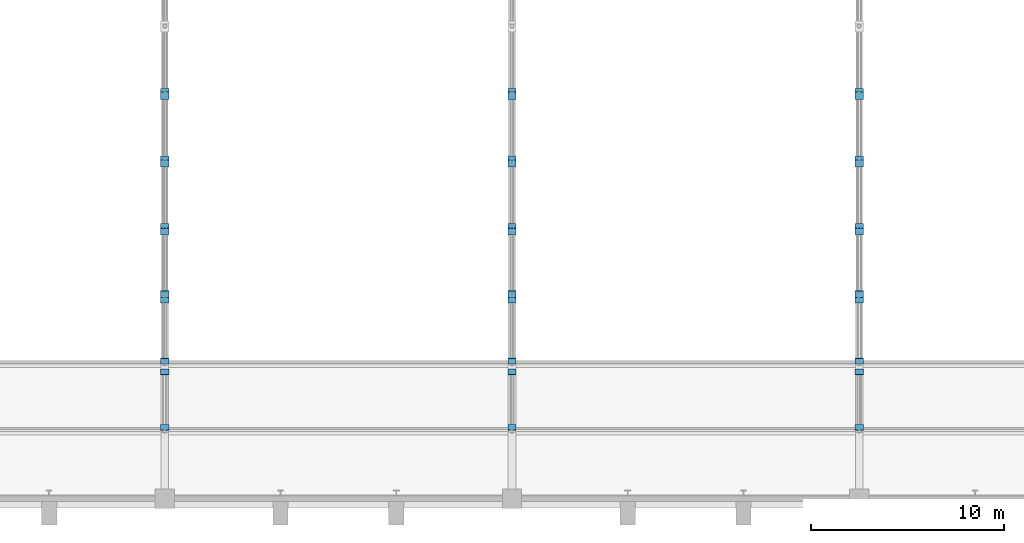
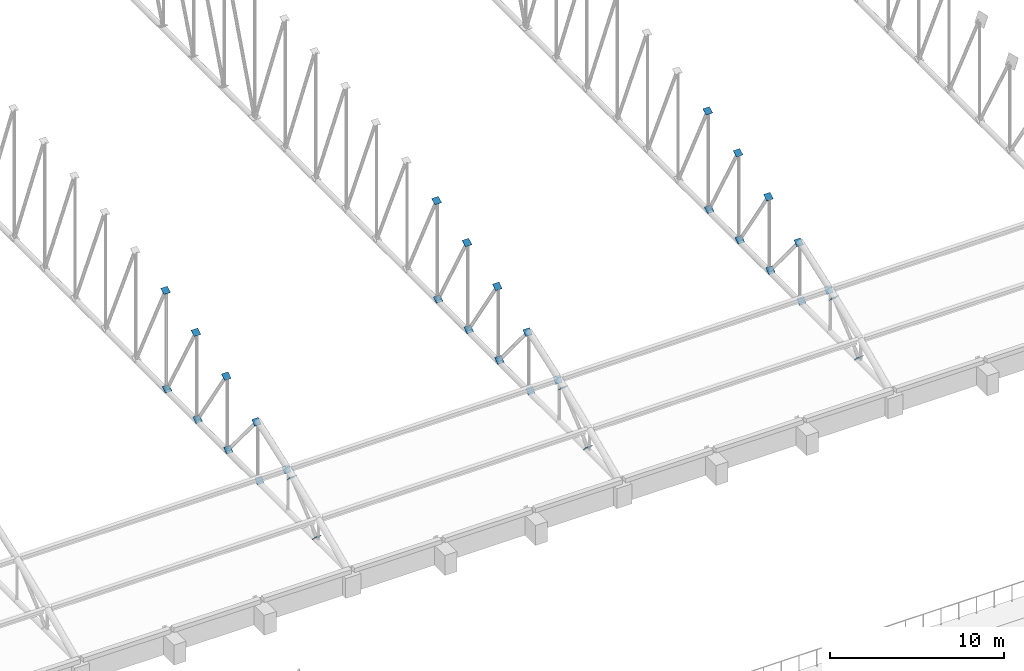
# One storey, part 145 of 196: 33 discrete accessories.
"""IFC4 building model written with IfcOpenShell, lengths in metres."""

from ifc_helpers import new_model, si_unit, direction, frame, origin, origin_2d, place, context, subcontext, project, spatial, rectangle, extrude, material, layer, layer_set, type_object, element, save


model = new_model("IFC4")

# Units and contexts
model_context = context("Model", 3, precision=1e-05, world=origin(), true_north=direction((0.0, 1.0)))
body_context = subcontext(model_context, "Body", "Model", "MODEL_VIEW")
ifc_project = project(units=[si_unit("LENGTHUNIT", "METRE"), si_unit("AREAUNIT", "SQUARE_METRE"), si_unit("VOLUMEUNIT", "CUBIC_METRE"), si_unit("PLANEANGLEUNIT", "RADIAN"), si_unit("MASSUNIT", "GRAM", prefix="KILO")], contexts=[model_context])

# Site, building, storey
site_placement = place(None, origin())
site = spatial("IfcSite", under=ifc_project, at=site_placement, CompositionType="ELEMENT")
building_placement = place(site_placement, origin())
building = spatial("IfcBuilding", under=site, at=building_placement, Name="Okhra Congress Centre", CompositionType="ELEMENT")
storey_placement = place(building_placement, frame((0.0, 0.0, 12.0)))
storey = spatial("IfcBuildingStorey", under=building, at=storey_placement, Name="L02", CompositionType="ELEMENT", Elevation=12.0)

# Discrete accessories
ifc_material = material(Name="Steel S355J2", Category="steel")
ifc_layer = layer(ifc_material, 0.02001953125)
ifc_layer_set = layer_set([ifc_layer], Name="Brace end connection plate 20 mm S355")
discrete_accessory_type = type_object("IfcDiscreteAccessoryType", Name="Brace end connection plate 20 mm S355", PredefinedType="BRACKET", material=ifc_layer_set)
for number, where, z_axis, x_axis, name in (
    (1, (82.0, 138.57421875, 4.01220703125), (0.0, 0.760121344352, 0.649781149204), (-1.0, 0.0, 0.0), "Brace end connection plate"),
    (2, (82.0, 135.709228515625, 1.577880859375), (0.0, -0.760121344352, -0.649781149204), (1.0, 0.0, 0.0), "Brace end connection plate"),
    (3, (82.0, 139.1611328125, 4.237060546875), (0.0, -0.760121344352, 0.649781149204), (1.0, 0.0, 0.0), "Brace end connection plate"),
    (4, (82.0, 142.290771484375, 1.577880859375), (0.0, 0.760121344352, -0.649781149204), (-1.0, 0.0, 0.0), "Brace end connection plate"),
    (5, (82.0, 142.626220703125, 5.476318359375), (0.0, -0.630592625094, 0.776114000116), (1.0, 0.0, 0.0), "Brace end connection plate"),
    (6, (82.0, 145.852783203125, 1.577880859375), (0.0, 0.643761629109, -0.765226087432), (-1.0, 0.0, 0.0), "Brace end connection plate"),
    (7, (82.0, 146.10595703125, 6.576416015625), (0.0, -0.551866900848, 0.833932205727), (1.0, 0.0, 0.0), "Brace end connection plate"),
    (8, (82.0, 149.38330078125, 1.577880859375), (0.0, 0.546267780547, -0.837610596839), (-1.0, 0.0, 0.0), "Brace end connection plate"),
    (9, (82.0, 149.5927734375, 7.538330078125), (0.0, -0.485642931179, 0.874157276122), (1.0, 0.0, 0.0), "Brace end connection plate"),
    (10, (82.0, 152.9013671875, 1.577880859375), (0.0, 0.485642931179, -0.874157276122), (-1.0, 0.0, 0.0), "Brace end connection plate"),
):
    element("IfcDiscreteAccessory", number, at=place(storey_placement, frame(where, z_axis=z_axis, x_axis=x_axis)), inside=storey, type_object=discrete_accessory_type, Name=name, PredefinedType="BRACKET", context=body_context, shape_type="SweptSolid", body=[
        extrude(rectangle(XDim=0.43798828125, YDim=0.43798828125, at=origin_2d()), origin(), (0.0, 0.0, 1.0), 0.02001953125),
    ])
discrete_accessory_1_placement = place(storey_placement, frame((82.0, 153.083740234375, 8.365234375), z_axis=(0.0, -0.44229248412, 0.896870870578), x_axis=(1.0, 0.0, 0.0)))
element("IfcDiscreteAccessory", 11, at=discrete_accessory_1_placement, inside=storey, type_object=discrete_accessory_type, Name="Brace end connection plate", PredefinedType="BRACKET", context=body_context, shape_type="SweptSolid", body=[
    extrude(rectangle(XDim=0.43798828125, YDim=0.43798828125, at=origin_2d()), origin(), (0.0, 0.0, 1.0), 0.019775390625),
])
for number, where, z_axis, x_axis, name in (
    (12, (100.0, 138.57421875, 4.01220703125), (0.0, 0.760121344352, 0.649781149204), (-1.0, 0.0, 0.0), "Brace end connection plate"),
    (13, (100.0, 135.709228515625, 1.577880859375), (0.0, -0.760121344352, -0.649781149204), (1.0, 0.0, 0.0), "Brace end connection plate"),
    (14, (100.0, 139.1611328125, 4.237060546875), (0.0, -0.760121344352, 0.649781149204), (1.0, 0.0, 0.0), "Brace end connection plate"),
    (15, (100.0, 142.290771484375, 1.577880859375), (0.0, 0.760121344352, -0.649781149204), (-1.0, 0.0, 0.0), "Brace end connection plate"),
    (16, (100.0, 142.626220703125, 5.476318359375), (0.0, -0.630592625094, 0.776114000116), (1.0, 0.0, 0.0), "Brace end connection plate"),
    (17, (100.0, 145.852783203125, 1.577880859375), (0.0, 0.643761629109, -0.765226087432), (-1.0, 0.0, 0.0), "Brace end connection plate"),
    (18, (100.0, 146.10595703125, 6.576416015625), (0.0, -0.551866900848, 0.833932205727), (1.0, 0.0, 0.0), "Brace end connection plate"),
    (19, (100.0, 149.38330078125, 1.577880859375), (0.0, 0.546267780547, -0.837610596839), (-1.0, 0.0, 0.0), "Brace end connection plate"),
    (20, (100.0, 149.5927734375, 7.538330078125), (0.0, -0.485642931179, 0.874157276122), (1.0, 0.0, 0.0), "Brace end connection plate"),
    (21, (100.0, 152.9013671875, 1.577880859375), (0.0, 0.485642931179, -0.874157276122), (-1.0, 0.0, 0.0), "Brace end connection plate"),
):
    element("IfcDiscreteAccessory", number, at=place(storey_placement, frame(where, z_axis=z_axis, x_axis=x_axis)), inside=storey, type_object=discrete_accessory_type, Name=name, PredefinedType="BRACKET", context=body_context, shape_type="SweptSolid", body=[
        extrude(rectangle(XDim=0.43798828125, YDim=0.43798828125, at=origin_2d()), origin(), (0.0, 0.0, 1.0), 0.02001953125),
    ])
discrete_accessory_2_placement = place(storey_placement, frame((100.0, 153.083740234375, 8.365234375), z_axis=(0.0, -0.44229248412, 0.896870870578), x_axis=(1.0, 0.0, 0.0)))
element("IfcDiscreteAccessory", 22, at=discrete_accessory_2_placement, inside=storey, type_object=discrete_accessory_type, Name="Brace end connection plate", PredefinedType="BRACKET", context=body_context, shape_type="SweptSolid", body=[
    extrude(rectangle(XDim=0.43798828125, YDim=0.43798828125, at=origin_2d()), origin(), (0.0, 0.0, 1.0), 0.019775390625),
])
for number, where, z_axis, x_axis, name in (
    (23, (118.0, 138.57421875, 4.01220703125), (0.0, 0.760121344352, 0.649781149204), (-1.0, 0.0, 0.0), "Brace end connection plate"),
    (24, (118.0, 135.709228515625, 1.577880859375), (0.0, -0.760121344352, -0.649781149204), (1.0, 0.0, 0.0), "Brace end connection plate"),
    (25, (118.0, 139.1611328125, 4.237060546875), (0.0, -0.760121344352, 0.649781149204), (1.0, 0.0, 0.0), "Brace end connection plate"),
    (26, (118.0, 142.290771484375, 1.577880859375), (0.0, 0.760121344352, -0.649781149204), (-1.0, 0.0, 0.0), "Brace end connection plate"),
    (27, (118.0, 142.626220703125, 5.476318359375), (0.0, -0.630592625094, 0.776114000116), (1.0, 0.0, 0.0), "Brace end connection plate"),
    (28, (118.0, 145.852783203125, 1.577880859375), (0.0, 0.643761629109, -0.765226087432), (-1.0, 0.0, 0.0), "Brace end connection plate"),
    (29, (118.0, 146.10595703125, 6.576416015625), (0.0, -0.551866900848, 0.833932205727), (1.0, 0.0, 0.0), "Brace end connection plate"),
    (30, (118.0, 149.38330078125, 1.577880859375), (0.0, 0.546267780547, -0.837610596839), (-1.0, 0.0, 0.0), "Brace end connection plate"),
    (31, (118.0, 149.5927734375, 7.538330078125), (0.0, -0.485642931179, 0.874157276122), (1.0, 0.0, 0.0), "Brace end connection plate"),
    (32, (118.0, 152.9013671875, 1.577880859375), (0.0, 0.485642931179, -0.874157276122), (-1.0, 0.0, 0.0), "Brace end connection plate"),
):
    element("IfcDiscreteAccessory", number, at=place(storey_placement, frame(where, z_axis=z_axis, x_axis=x_axis)), inside=storey, type_object=discrete_accessory_type, Name=name, PredefinedType="BRACKET", context=body_context, shape_type="SweptSolid", body=[
        extrude(rectangle(XDim=0.43798828125, YDim=0.43798828125, at=origin_2d()), origin(), (0.0, 0.0, 1.0), 0.02001953125),
    ])
discrete_accessory_3_placement = place(storey_placement, frame((118.0, 153.083740234375, 8.365234375), z_axis=(0.0, -0.44229248412, 0.896870870578), x_axis=(1.0, 0.0, 0.0)))
element("IfcDiscreteAccessory", 33, at=discrete_accessory_3_placement, inside=storey, type_object=discrete_accessory_type, Name="Brace end connection plate", PredefinedType="BRACKET", context=body_context, shape_type="SweptSolid", body=[
    extrude(rectangle(XDim=0.43798828125, YDim=0.43798828125, at=origin_2d()), origin(), (0.0, 0.0, 1.0), 0.019775390625),
])

save(model, "model.ifc")
